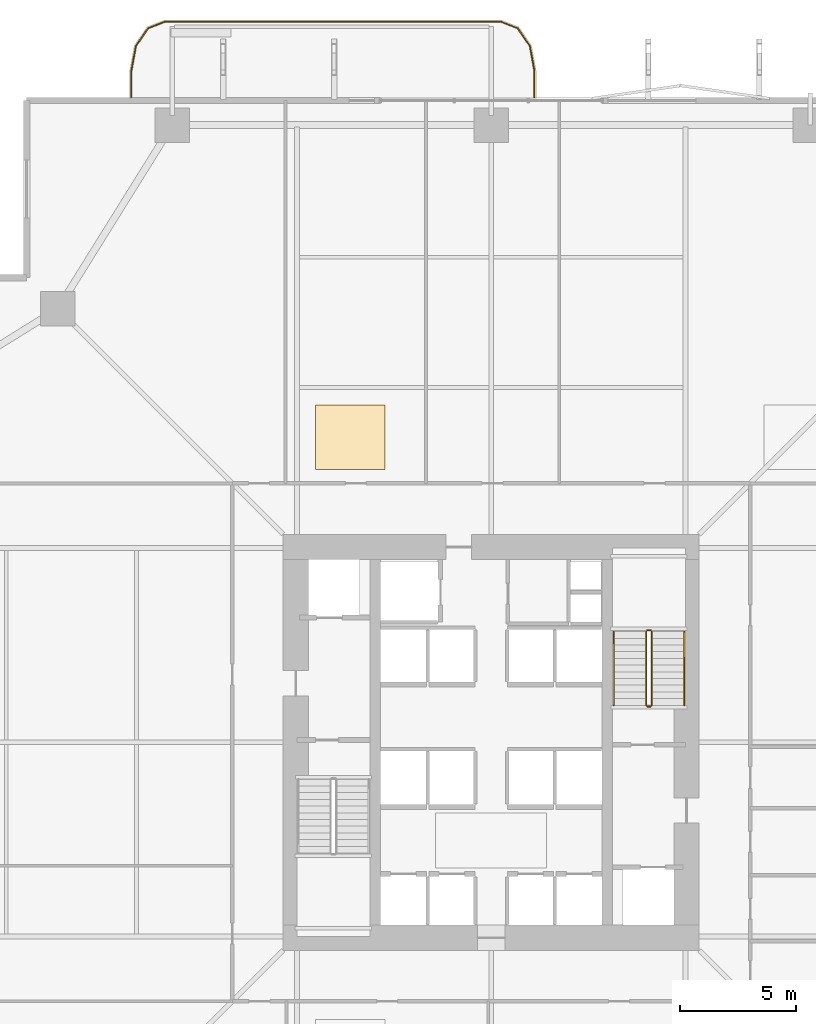
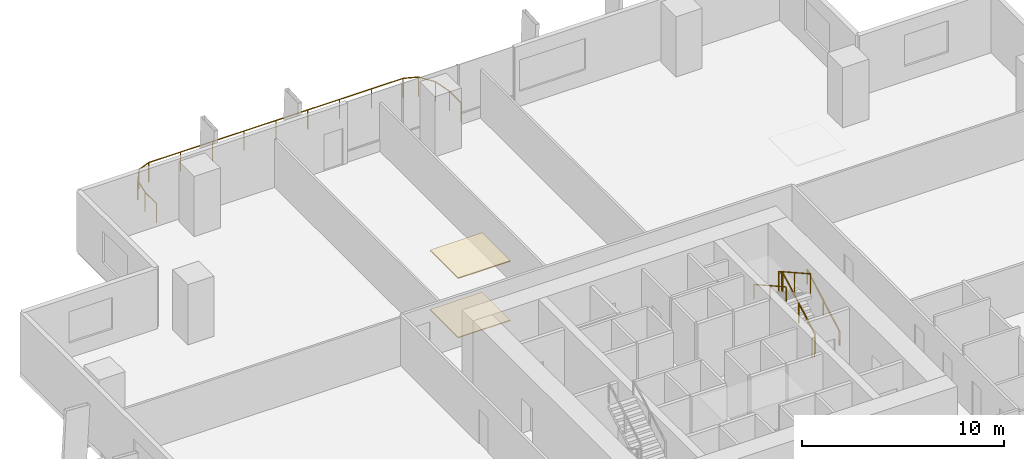
# One storey, part 23 of 24: 7 railings, 2 coverings.
"""IFC4 building model written with IfcOpenShell, lengths in metres."""

import ifcopenshell
import ifcopenshell.guid

model = None  # the IFC model being written
_history = None  # IfcOwnerHistory: only IFC2X3 demands one
_inside = {}  # id of a spatial element -> (the spatial element, [elements in it])
_under = {}  # id of a project, library or spatial element -> (it, [spatial elements below it])
_declared = {}  # id of a project -> (the project, [libraries it declares])
_typed = {}  # id of a type object -> (the type object, [elements of that type])
_made_of = {}  # id of a material, layer set ... -> (it, [elements and type objects made of it])


def new_model(schema):
    """Start an empty IFC model of exactly this schema.

    Asked for "IFC4X3", IfcOpenShell would pick the latest addendum, in which some entities
    have other attributes; the version numbers below select the first issue.
    IFC2X3 requires an IfcOwnerHistory on every rooted entity: one is made here for all.
    """
    global model, _history
    if schema == "IFC4X3":
        model = ifcopenshell.file(schema_version=(4, 3, 0, 0))
    else:
        model = ifcopenshell.file(schema=schema)
    _inside.clear()
    _under.clear()
    _declared.clear()
    _typed.clear()
    _made_of.clear()
    _history = None
    if model.schema == "IFC2X3":
        org = make("IfcOrganization", Name="unknown")
        user = make(
            "IfcPersonAndOrganization",
            ThePerson=make("IfcPerson", FamilyName="unknown"),
            TheOrganization=org,
        )
        app = make(
            "IfcApplication",
            ApplicationDeveloper=org,
            Version="unknown",
            ApplicationFullName="unknown",
            ApplicationIdentifier="unknown",
        )
        _history = make(
            "IfcOwnerHistory",
            OwningUser=user,
            OwningApplication=app,
            ChangeAction="ADDED",
            CreationDate=0,
        )
    return model


def make(cls, **values):
    """One entity of the class cls with the attributes given. An attribute that is None is left unset."""
    return model.create_entity(
        cls, **{name: value for name, value in values.items() if value is not None}
    )


def rooted(cls, **values):
    """An entity with a GlobalId (a new one), such as an element, a storey or a relation."""
    return make(cls, GlobalId=ifcopenshell.guid.new(), OwnerHistory=_history, **values)


def si_unit(unit_type, name, prefix=None):
    """IfcSIUnit, for example si_unit("LENGTHUNIT", "METRE", prefix="MILLI")."""
    return make("IfcSIUnit", UnitType=unit_type, Prefix=prefix, Name=name)


def assignment(units):
    """IfcUnitAssignment: the units of a project."""
    return None if units is None else make("IfcUnitAssignment", Units=units)


def point(xyz):
    """IfcCartesianPoint."""
    return None if xyz is None else make("IfcCartesianPoint", Coordinates=xyz)


def direction(xyz):
    """IfcDirection."""
    return None if xyz is None else make("IfcDirection", DirectionRatios=xyz)


def frame(location, z_axis=None, x_axis=None):
    """IfcAxis2Placement3D, a coordinate frame: its origin and axes. An axis left out is left unset."""
    return make(
        "IfcAxis2Placement3D",
        Location=point(location),
        Axis=direction(z_axis),
        RefDirection=direction(x_axis),
    )


def frame_2d(location, x_axis=None):
    """IfcAxis2Placement2D, a coordinate frame in the plane: its origin and x axis."""
    return make(
        "IfcAxis2Placement2D", Location=point(location), RefDirection=direction(x_axis)
    )


def origin():
    """The frame at (0, 0, 0) with its axes left unset."""
    return frame((0.0, 0.0, 0.0))


def origin_2d():
    """The frame at (0, 0) in the plane with its x axis left unset."""
    return frame_2d((0.0, 0.0))


def place(relative_to, where):
    """IfcLocalPlacement: puts the frame where relative to a parent placement (None: the world)."""
    return make(
        "IfcLocalPlacement", PlacementRelTo=relative_to, RelativePlacement=where
    )


def context(
    kind, dimensions, precision=None, world=None, true_north=None, identifier=None
):
    """IfcGeometricRepresentationContext, for example the 3D "Model" context."""
    return make(
        "IfcGeometricRepresentationContext",
        ContextIdentifier=identifier,
        ContextType=kind,
        CoordinateSpaceDimension=dimensions,
        Precision=precision,
        WorldCoordinateSystem=world,
        TrueNorth=true_north,
    )


def subcontext(parent, identifier, kind, view, scale=None):
    """IfcGeometricRepresentationSubContext, for example "Body" below "Model"."""
    return make(
        "IfcGeometricRepresentationSubContext",
        ContextIdentifier=identifier,
        ContextType=kind,
        ParentContext=parent,
        TargetScale=scale,
        TargetView=view,
    )


def project(units=None, contexts=None):
    """IfcProject with its units and contexts."""
    return rooted(
        "IfcProject",
        Name="project",
        RepresentationContexts=contexts,
        UnitsInContext=assignment(units),
    )


def spatial(cls, under=None, at=None, **own):
    """A site, building, storey or space (cls), placed at a placement, below another one or the project."""
    s = rooted(cls, ObjectPlacement=at, **own)
    if under is not None:
        _under.setdefault(under.id(), (under, []))[1].append(s)
    return s


def polyline(points):
    """IfcPolyline through the points."""
    return make("IfcPolyline", Points=[point(p) for p in points])


def profile(cls, at=None, kind="AREA", **sizes):
    """A parametric profile (cls). Its sizes go by their IFC names, for example OverallWidth=200.0."""
    return make(cls, ProfileType=kind, Position=at, **sizes)


def rectangle(**sizes):
    """IfcRectangleProfileDef."""
    return profile("IfcRectangleProfileDef", **sizes)


def outline(outer, holes=None, kind="AREA"):
    """IfcArbitraryClosedProfileDef: a profile drawn as a closed curve; with holes, ...WithVoids."""
    if holes is None:
        return make("IfcArbitraryClosedProfileDef", ProfileType=kind, OuterCurve=outer)
    return make(
        "IfcArbitraryProfileDefWithVoids",
        ProfileType=kind,
        OuterCurve=outer,
        InnerCurves=holes,
    )


def extrude(swept, where, along, depth):
    """IfcExtrudedAreaSolid: the profile swept, set in the frame where, extruded along a direction by depth."""
    return make(
        "IfcExtrudedAreaSolid",
        SweptArea=swept,
        Position=where,
        ExtrudedDirection=direction(along),
        Depth=depth,
    )


def shape(context_of_items, identifier, shape_type, items):
    """IfcShapeRepresentation: the items that make up one representation, for example the "Body"."""
    return make(
        "IfcShapeRepresentation",
        ContextOfItems=context_of_items,
        RepresentationIdentifier=identifier,
        RepresentationType=shape_type,
        Items=items,
    )


def material(Name=None, Category=None):
    """IfcMaterial."""
    return make("IfcMaterial", Name=Name, Category=Category)


def layer(
    of_material, thickness, ventilated=None, Name=None, Category=None, Priority=None
):
    """IfcMaterialLayer: one layer of a wall or slab, of a material (None: an air gap)."""
    return make(
        "IfcMaterialLayer",
        Material=of_material,
        LayerThickness=thickness,
        IsVentilated=ventilated,
        Name=Name,
        Category=Category,
        Priority=Priority,
    )


def layer_set(layers, Name=None):
    """IfcMaterialLayerSet."""
    return make("IfcMaterialLayerSet", MaterialLayers=layers, LayerSetName=Name)


def made_of(thing, what):
    """Note that an element or type object is made of a material, layer set ...; save() writes the relation."""
    if what is not None:
        _made_of.setdefault(what.id(), (what, []))[1].append(thing)
    return thing


def type_object(cls, material=None, **own):
    """A type object (cls), such as IfcWallType, which elements share."""
    return made_of(rooted(cls, **own), material)


def element(
    cls,
    number,
    at=None,
    inside=None,
    cuts=None,
    type_object=None,
    material=None,
    context=None,
    identifier="Body",
    shape_type=None,
    held_by="IfcProductDefinitionShape",
    body=None,
    shapes=None,
    **own,
):
    """One element of the class cls, such as IfcWall. Its Tag is "e" and its number.

    at: its placement. inside: the storey or other place that contains it. cuts: it is an
    opening in that element (IfcRelVoidsElement). A single representation is given by context,
    identifier, shape_type and body (its items); several are given by shapes. held_by: the class
    of the entity that holds the representations. save() writes the other relations.
    """
    e = rooted(cls, Tag="e%d" % number, ObjectPlacement=at, **own)
    if body is not None:
        shapes = [shape(context, identifier, shape_type, body)]
    if shapes is not None:
        e.Representation = make(held_by, Representations=shapes)
    if inside is not None:
        _inside.setdefault(inside.id(), (inside, []))[1].append(e)
    if cuts is not None:
        rooted(
            "IfcRelVoidsElement", RelatingBuildingElement=cuts, RelatedOpeningElement=e
        )
    if type_object is not None:
        _typed.setdefault(type_object.id(), (type_object, []))[1].append(e)
    return made_of(e, material)


def aggregate(whole, parts):
    """IfcRelAggregates: a whole, such as a stair, and the parts it consists of."""
    return rooted("IfcRelAggregates", RelatingObject=whole, RelatedObjects=parts)


def save(model, path):
    """Write the relations noted so far, then the file.

    IfcRelAggregates (storeys below a building ...), IfcRelContainedInSpatialStructure (elements
    in a storey), IfcRelDefinesByType, IfcRelAssociatesMaterial and IfcRelDeclares: one each for
    every whole, place, type object, material and project.
    """
    for whole, parts in _under.values():
        aggregate(whole, parts)
    for where, things in _inside.values():
        rooted(
            "IfcRelContainedInSpatialStructure",
            RelatedElements=things,
            RelatingStructure=where,
        )
    for kind, things in _typed.values():
        rooted("IfcRelDefinesByType", RelatedObjects=things, RelatingType=kind)
    for what, things in _made_of.values():
        rooted("IfcRelAssociatesMaterial", RelatedObjects=things, RelatingMaterial=what)
    for by, libraries in _declared.values():
        rooted("IfcRelDeclares", RelatingContext=by, RelatedDefinitions=libraries)
    model.write(path)


model = new_model("IFC4")

# Units and contexts
model_context = context("Model", 3, precision=1e-05, world=origin(), true_north=direction((0.0, 1.0)))
body_context = subcontext(model_context, "Body", "Model", "MODEL_VIEW")
ifc_project = project(units=[si_unit("LENGTHUNIT", "METRE"), si_unit("AREAUNIT", "SQUARE_METRE"), si_unit("VOLUMEUNIT", "CUBIC_METRE"), si_unit("PLANEANGLEUNIT", "RADIAN"), si_unit("MASSUNIT", "GRAM", prefix="KILO")], contexts=[model_context])

# Site, building, storey
site_placement = place(None, origin())
site = spatial("IfcSite", under=ifc_project, at=site_placement, CompositionType="ELEMENT")
building_placement = place(site_placement, origin())
building = spatial("IfcBuilding", under=site, at=building_placement, Name="Belovzor Exchange Tower", CompositionType="ELEMENT")
storey_placement = place(building_placement, frame((0.0, 0.0, 61.199951171875)))
storey = spatial("IfcBuildingStorey", under=building, at=storey_placement, Name="L14", CompositionType="ELEMENT", Elevation=61.199951171875)

# Railings
ifc_material_1 = material(Name="Stainless Steel Grade 304", Category="steel")
railing_type_1 = type_object("IfcRailingType", Name="Brushed Stainless Steel Stair Handrail 900", PredefinedType="HANDRAIL", material=ifc_material_1)
railing_1_placement = place(storey_placement, frame((37.14990234375, 30.39990234375, 0.16259765625)))
element("IfcRailing", 1, at=railing_1_placement, inside=storey, type_object=railing_type_1, Name="L14 ST-2 stair handrail 1", PredefinedType="HANDRAIL", context=body_context, shape_type="SweptSolid", body=[
    extrude(rectangle(XDim=0.048095703125, YDim=0.048095703125, at=origin_2d()), frame((0.0, 0.0, 0.8759765625), z_axis=(0.0, 0.872406949647, 0.488780230991), x_axis=(-1.0, 0.0, 0.0)), (0.0, 0.0, 1.0), 3.65673828125),
    extrude(rectangle(XDim=0.0419921875, YDim=0.0419921875, at=origin_2d()), origin(), (0.0, 0.0, 1.0), 0.851806640625),
    extrude(rectangle(XDim=0.0419921875, YDim=0.0419921875, at=origin_2d()), frame((0.0, 1.59521484375, 0.8935546875)), (0.0, 0.0, 1.0), 0.851806640625),
    extrude(rectangle(XDim=0.0419921875, YDim=0.0419921875, at=origin_2d()), frame((0.0, 3.190185546875, 1.787353515625)), (0.0, 0.0, 1.0), 0.851806640625),
])
railing_2_placement = place(storey_placement, frame((34.10009765625, 33.590087890625, 2.112548828125)))
element("IfcRailing", 2, at=railing_2_placement, inside=storey, type_object=railing_type_1, Name="L14 ST-2 stair handrail 2", PredefinedType="HANDRAIL", context=body_context, shape_type="SweptSolid", body=[
    extrude(rectangle(XDim=0.048095703125, YDim=0.048095703125, at=origin_2d()), frame((0.0, 0.0, 0.8759765625), z_axis=(0.0, -0.87237847985, 0.488831042279), x_axis=(1.0, 0.0, 0.0)), (0.0, 0.0, 1.0), 3.656982421875),
    extrude(rectangle(XDim=0.0419921875, YDim=0.0419921875, at=origin_2d()), origin(), (0.0, 0.0, 1.0), 0.851806640625),
    extrude(rectangle(XDim=0.0419921875, YDim=0.0419921875, at=origin_2d()), frame((0.0, -1.59521484375, 0.893798828125)), (0.0, 0.0, 1.0), 0.851806640625),
    extrude(rectangle(XDim=0.0419921875, YDim=0.0419921875, at=origin_2d()), frame((0.0, -3.190185546875, 1.78759765625)), (0.0, 0.0, 1.0), 0.851806640625),
])
ifc_material_2 = material(Name="Stainless Steel and Laminated Safety Glass", Category="steel")
railing_type_2 = type_object("IfcRailingType", Name="Laminated Glass & Stainless Steel Balcony Balustrade 1200", PredefinedType="BALUSTRADE", material=ifc_material_2)
railing_3_placement = place(storey_placement, frame((30.669921875, 56.7099609375, 0.0)))
element("IfcRailing", 3, at=railing_3_placement, inside=storey, type_object=railing_type_2, Name="GR-1 Balcony Balustrade L14 North", PredefinedType="BALUSTRADE", context=body_context, shape_type="SweptSolid", body=[
    extrude(rectangle(XDim=0.048095703125, YDim=0.048095703125, at=origin_2d()), frame((0.0, 0.0, 1.17578125), z_axis=(0.0, 1.0, 0.0), x_axis=(-1.0, 0.0, 0.0)), (0.0, 0.0, 1.0), 1.133056640625),
    extrude(rectangle(XDim=0.048095703125, YDim=0.048095703125, at=origin_2d()), frame((0.0, 1.133056640625, 1.17578125), z_axis=(-0.180122719713, 0.983644145941, 0.0), x_axis=(-0.983644145941, -0.180122719713, 0.0)), (0.0, 0.0, 1.0), 1.09375),
    extrude(rectangle(XDim=0.048095703125, YDim=0.048095703125, at=origin_2d()), frame((-0.197021484375, 2.208984375, 1.17578125), z_axis=(-0.562768145367, 0.826614792125, 0.0), x_axis=(-0.826614792125, -0.562768145367, 0.0)), (0.0, 0.0, 1.0), 0.9326171875),
    extrude(rectangle(XDim=0.048095703125, YDim=0.048095703125, at=origin_2d()), frame((-0.721923828125, 2.97998046875, 1.17578125), z_axis=(-0.930766990125, 0.365612923861, 0.0), x_axis=(-0.365612923861, -0.930766990125, 0.0)), (0.0, 0.0, 1.0), 0.765869140625),
    extrude(rectangle(XDim=0.048095703125, YDim=0.048095703125, at=origin_2d()), frame((-1.434814453125, 3.260009765625, 1.17578125), z_axis=(-1.0, 0.0, 0.0), x_axis=(0.0, -1.0, 0.0)), (0.0, 0.0, 1.0), 14.570068359375),
    extrude(rectangle(XDim=0.048095703125, YDim=0.048095703125, at=origin_2d()), frame((-16.0048828125, 3.260009765625, 1.17578125), z_axis=(-0.930809580156, -0.365504480807, 0.0), x_axis=(0.365504480807, -0.930809580156, 0.0)), (0.0, 0.0, 1.0), 0.76611328125),
    extrude(rectangle(XDim=0.048095703125, YDim=0.048095703125, at=origin_2d()), frame((-16.718017578125, 2.97998046875, 1.17578125), z_axis=(-0.562768145367, -0.826614792125, 0.0), x_axis=(0.826614792125, -0.562768145367, 0.0)), (0.0, 0.0, 1.0), 0.9326171875),
    extrude(rectangle(XDim=0.048095703125, YDim=0.048095703125, at=origin_2d()), frame((-17.242919921875, 2.208984375, 1.17578125), z_axis=(-0.180122719713, -0.983644145941, 0.0), x_axis=(0.983644145941, -0.180122719713, 0.0)), (0.0, 0.0, 1.0), 1.09375),
    extrude(rectangle(XDim=0.048095703125, YDim=0.048095703125, at=origin_2d()), frame((-17.43994140625, 1.133056640625, 1.17578125), z_axis=(0.0, -1.0, 0.0), x_axis=(1.0, 0.0, 0.0)), (0.0, 0.0, 1.0), 1.133056640625),
    extrude(rectangle(XDim=0.0419921875, YDim=0.0419921875, at=origin_2d()), origin(), (0.0, 0.0, 1.0), 1.15185546875),
    extrude(rectangle(XDim=0.0419921875, YDim=0.0419921875, at=origin_2d()), frame((0.0, 1.133056640625, 0.0)), (0.0, 0.0, 1.0), 1.15185546875),
    extrude(rectangle(XDim=0.0419921875, YDim=0.0419921875, at=origin_2d()), frame((-0.197021484375, 2.208984375, 0.0)), (0.0, 0.0, 1.0), 1.15185546875),
    extrude(rectangle(XDim=0.0419921875, YDim=0.0419921875, at=origin_2d()), frame((-0.721923828125, 2.97998046875, 0.0)), (0.0, 0.0, 1.0), 1.15185546875),
    extrude(rectangle(XDim=0.0419921875, YDim=0.0419921875, at=origin_2d()), frame((-1.434814453125, 3.260009765625, 0.0)), (0.0, 0.0, 1.0), 1.15185546875),
    extrude(rectangle(XDim=0.0419921875, YDim=0.0419921875, at=origin_2d()), frame((-3.256103515625, 3.260009765625, 0.0)), (0.0, 0.0, 1.0), 1.15185546875),
    extrude(rectangle(XDim=0.0419921875, YDim=0.0419921875, at=origin_2d()), frame((-5.077392578125, 3.260009765625, 0.0)), (0.0, 0.0, 1.0), 1.15185546875),
    extrude(rectangle(XDim=0.0419921875, YDim=0.0419921875, at=origin_2d()), frame((-6.898681640625, 3.260009765625, 0.0)), (0.0, 0.0, 1.0), 1.15185546875),
    extrude(rectangle(XDim=0.0419921875, YDim=0.0419921875, at=origin_2d()), frame((-8.7197265625, 3.260009765625, 0.0)), (0.0, 0.0, 1.0), 1.15185546875),
    extrude(rectangle(XDim=0.0419921875, YDim=0.0419921875, at=origin_2d()), frame((-10.541015625, 3.260009765625, 0.0)), (0.0, 0.0, 1.0), 1.15185546875),
    extrude(rectangle(XDim=0.0419921875, YDim=0.0419921875, at=origin_2d()), frame((-12.3623046875, 3.260009765625, 0.0)), (0.0, 0.0, 1.0), 1.15185546875),
    extrude(rectangle(XDim=0.0419921875, YDim=0.0419921875, at=origin_2d()), frame((-14.18359375, 3.260009765625, 0.0)), (0.0, 0.0, 1.0), 1.15185546875),
    extrude(rectangle(XDim=0.0419921875, YDim=0.0419921875, at=origin_2d()), frame((-16.0048828125, 3.260009765625, 0.0)), (0.0, 0.0, 1.0), 1.15185546875),
    extrude(rectangle(XDim=0.0419921875, YDim=0.0419921875, at=origin_2d()), frame((-16.718017578125, 2.97998046875, 0.0)), (0.0, 0.0, 1.0), 1.15185546875),
    extrude(rectangle(XDim=0.0419921875, YDim=0.0419921875, at=origin_2d()), frame((-17.242919921875, 2.208984375, 0.0)), (0.0, 0.0, 1.0), 1.15185546875),
    extrude(rectangle(XDim=0.0419921875, YDim=0.0419921875, at=origin_2d()), frame((-17.43994140625, 1.133056640625, 0.0)), (0.0, 0.0, 1.0), 1.15185546875),
    extrude(rectangle(XDim=0.0419921875, YDim=0.0419921875, at=origin_2d()), frame((-17.43994140625, 0.0, 0.0)), (0.0, 0.0, 1.0), 1.15185546875),
])
ifc_material_3 = material(Name="Steel S355", Category="steel")
railing_type_3 = type_object("IfcRailingType", Name="Painted Steel Stairwell Guardrail 1200", PredefinedType="GUARDRAIL", material=ifc_material_3)
railing_4_placement = place(storey_placement, frame((35.75, 30.39990234375, 0.16259765625)))
element("IfcRailing", 4, at=railing_4_placement, inside=storey, type_object=railing_type_3, Name="L14 ST-2 stair guard 1", PredefinedType="GUARDRAIL", context=body_context, shape_type="SweptSolid", body=[
    extrude(rectangle(XDim=0.048095703125, YDim=0.048095703125, at=origin_2d()), frame((0.0, 0.0, 1.17578125), z_axis=(0.0, 0.872406949647, 0.488780230991), x_axis=(-1.0, 0.0, 0.0)), (0.0, 0.0, 1.0), 3.65673828125),
    extrude(rectangle(XDim=0.0419921875, YDim=0.0419921875, at=origin_2d()), origin(), (0.0, 0.0, 1.0), 1.15185546875),
    extrude(rectangle(XDim=0.0419921875, YDim=0.0419921875, at=origin_2d()), frame((0.0, 1.59521484375, 0.8935546875)), (0.0, 0.0, 1.0), 1.15185546875),
    extrude(rectangle(XDim=0.0419921875, YDim=0.0419921875, at=origin_2d()), frame((0.0, 3.190185546875, 1.787353515625)), (0.0, 0.0, 1.0), 1.15185546875),
])
railing_5_placement = place(storey_placement, frame((35.699951171875, 33.639892578125, 1.949951171875)))
element("IfcRailing", 5, at=railing_5_placement, inside=storey, type_object=railing_type_3, Name="L14 ST-2 stair guard 2", PredefinedType="GUARDRAIL", context=body_context, shape_type="SweptSolid", body=[
    extrude(rectangle(XDim=0.048095703125, YDim=0.048095703125, at=origin_2d()), frame((0.0, 0.0, 1.17578125), z_axis=(-1.0, 0.0, 0.0), x_axis=(0.0, -1.0, 0.0)), (0.0, 0.0, 1.0), 0.14990234375),
    extrude(rectangle(XDim=0.0419921875, YDim=0.0419921875, at=origin_2d()), origin(), (0.0, 0.0, 1.0), 1.15185546875),
    extrude(rectangle(XDim=0.0419921875, YDim=0.0419921875, at=origin_2d()), frame((-0.14990234375, 0.0, 0.0)), (0.0, 0.0, 1.0), 1.15185546875),
])
railing_6_placement = place(storey_placement, frame((35.5, 33.590087890625, 2.112548828125)))
element("IfcRailing", 6, at=railing_6_placement, inside=storey, type_object=railing_type_3, Name="L14 ST-2 stair guard 3", PredefinedType="GUARDRAIL", context=body_context, shape_type="SweptSolid", body=[
    extrude(rectangle(XDim=0.048095703125, YDim=0.048095703125, at=origin_2d()), frame((0.0, 0.0, 1.17578125), z_axis=(0.0, -0.87237847985, 0.488831042279), x_axis=(1.0, 0.0, 0.0)), (0.0, 0.0, 1.0), 3.656982421875),
    extrude(rectangle(XDim=0.0419921875, YDim=0.0419921875, at=origin_2d()), origin(), (0.0, 0.0, 1.0), 1.15185546875),
    extrude(rectangle(XDim=0.0419921875, YDim=0.0419921875, at=origin_2d()), frame((0.0, -1.59521484375, 0.893798828125)), (0.0, 0.0, 1.0), 1.15185546875),
    extrude(rectangle(XDim=0.0419921875, YDim=0.0419921875, at=origin_2d()), frame((0.0, -3.190185546875, 1.78759765625)), (0.0, 0.0, 1.0), 1.15185546875),
])
railing_7_placement = place(storey_placement, frame((35.699951171875, 30.35009765625, 0.0)))
element("IfcRailing", 7, at=railing_7_placement, inside=storey, type_object=railing_type_3, Name="L14 ST-2 stair guard 4", PredefinedType="GUARDRAIL", context=body_context, shape_type="SweptSolid", body=[
    extrude(rectangle(XDim=0.048095703125, YDim=0.048095703125, at=origin_2d()), frame((0.0, 0.0, 1.17578125), z_axis=(-1.0, 0.0, 0.0), x_axis=(0.0, -1.0, 0.0)), (0.0, 0.0, 1.0), 0.14990234375),
    extrude(rectangle(XDim=0.0419921875, YDim=0.0419921875, at=origin_2d()), origin(), (0.0, 0.0, 1.0), 1.15185546875),
    extrude(rectangle(XDim=0.0419921875, YDim=0.0419921875, at=origin_2d()), frame((-0.14990234375, 0.0, 0.0)), (0.0, 0.0, 1.0), 1.15185546875),
])

# Coverings
ifc_material_4 = material(Name="Perforated Powder-Coated Aluminium", Category="aluminium")
ifc_layer_1 = layer(ifc_material_4, 0.06005859375)
ifc_layer_set_1 = layer_set([ifc_layer_1], Name="Perforated Powder-Coated Aluminium")
covering_type_1 = type_object("IfcCoveringType", Name="Perforated Acoustic Metal Tile Suspended Ceiling 60", PredefinedType="CEILING", material=ifc_layer_set_1)
covering_1_placement = place(storey_placement, frame((0.0, 0.0, 3.590087890625)))
element("IfcCovering", 8, at=covering_1_placement, inside=storey, type_object=covering_type_1, Name="CLG-AC60 Suspended Ceiling CLG-L14-Z3", PredefinedType="CEILING", context=body_context, shape_type="SweptSolid", body=[
    extrude(outline(polyline([(21.199951171875, 40.60009765625), (24.199951171875, 40.60009765625), (24.199951171875, 43.39990234375), (21.199951171875, 43.39990234375), (21.199951171875, 40.60009765625)])), origin(), (0.0, 0.0, 1.0), 0.06005859375),
])
ifc_material_5 = material(Name="Polished Natural Granite Tile", Category="masonry")
ifc_layer_2 = layer(ifc_material_5, 0.050048828125)
ifc_layer_set_2 = layer_set([ifc_layer_2], Name="Polished Natural Granite Tile")
covering_type_2 = type_object("IfcCoveringType", Name="Polished Karelian Granite & Raised Access Floor Finish 50", PredefinedType="FLOORING", material=ifc_layer_set_2)
covering_2_placement = place(storey_placement, origin())
element("IfcCovering", 9, at=covering_2_placement, inside=storey, type_object=covering_type_2, Name="FLR-GR50 Floor Finish FLR-L14-Z3", PredefinedType="FLOORING", context=body_context, shape_type="SweptSolid", body=[
    extrude(outline(polyline([(21.199951171875, 40.60009765625), (24.199951171875, 40.60009765625), (24.199951171875, 43.39990234375), (21.199951171875, 43.39990234375), (21.199951171875, 40.60009765625)])), origin(), (0.0, 0.0, 1.0), 0.050048828125),
])

save(model, "model.ifc")
